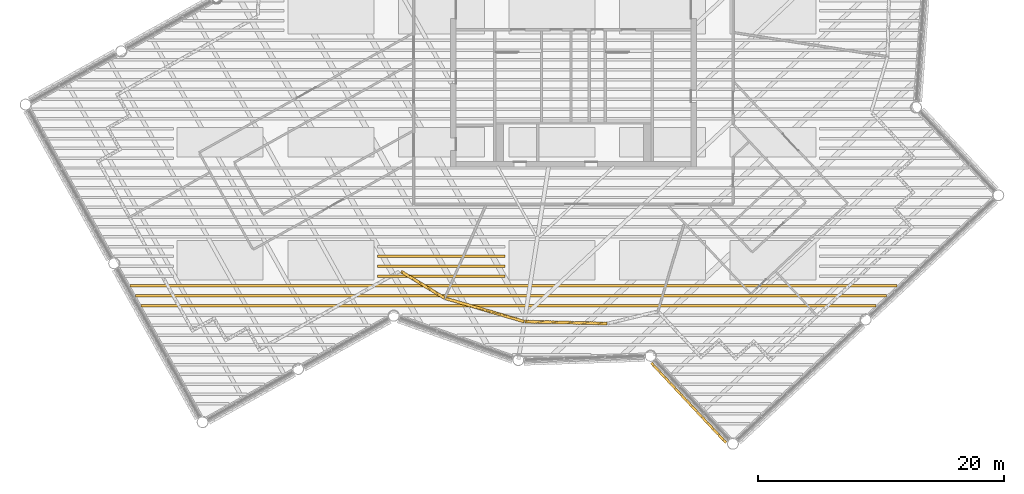
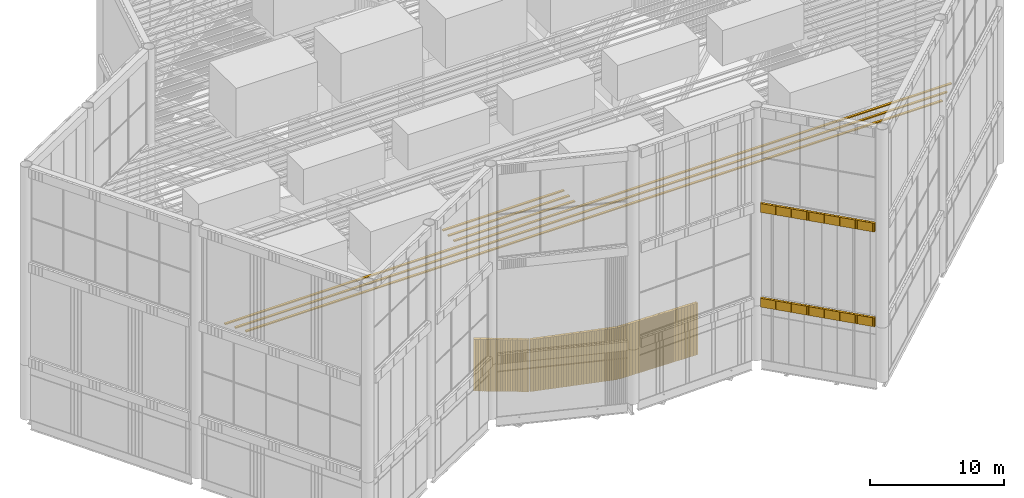
# One storey, part 95 of 117: 9 shading devices, 2 coverings.
"""IFC4 building model written with IfcOpenShell, lengths in metres."""

from ifc_helpers import new_model, si_unit, direction, frame, frame_2d, origin, origin_2d, place, context, subcontext, project, spatial, rectangle, composite_profile, extrude, material, type_object, element, save


model = new_model("IFC4")

# Units and contexts
model_context = context("Model", 3, precision=1e-05, world=origin(), true_north=direction((0.0, 1.0)))
body_context = subcontext(model_context, "Body", "Model", "MODEL_VIEW")
ifc_project = project(units=[si_unit("LENGTHUNIT", "METRE"), si_unit("AREAUNIT", "SQUARE_METRE"), si_unit("VOLUMEUNIT", "CUBIC_METRE"), si_unit("PLANEANGLEUNIT", "RADIAN"), si_unit("MASSUNIT", "GRAM", prefix="KILO")], contexts=[model_context])

# Site, building, storey
site_placement = place(None, origin())
site = spatial("IfcSite", under=ifc_project, at=site_placement, CompositionType="ELEMENT")
building_placement = place(site_placement, origin())
building = spatial("IfcBuilding", under=site, at=building_placement, Name="Tarsis Ring Headquarters", CompositionType="ELEMENT")
storey_placement = place(building_placement, frame((0.0, 0.0, 403.60009765625)))
storey = spatial("IfcBuildingStorey", under=building, at=storey_placement, Name="L95", CompositionType="ELEMENT", Elevation=403.60009765625)

# Coverings
ifc_material_1 = material(Name="Terracotta louvre", Category="masonry")
covering_type = type_object("IfcCoveringType", Name="Crown louvre fin", PredefinedType="CLADDING", material=ifc_material_1)
covering_1_placement = place(storey_placement, frame((6.339111328125, -28.933837890625, 5.0), z_axis=(0.0, 0.0, 1.0), x_axis=(0.683518233743, -0.729926405975, 0.0)))
element("IfcCovering", 1, at=covering_1_placement, inside=storey, type_object=covering_type, Name="Crown louvre fascia R2", PredefinedType="CLADDING", context=body_context, shape_type="SweptSolid", body=[
    extrude(composite_profile([rectangle(XDim=0.14501953125, YDim=0.199951171875, at=frame_2d((0.072509765625, 0.0))), rectangle(XDim=0.14501953125, YDim=0.199951171875, at=frame_2d((0.223388671875, 0.0))), rectangle(XDim=0.14501953125, YDim=0.199951171875, at=frame_2d((0.3740234375, 0.0))), rectangle(XDim=0.14501953125, YDim=0.199951171875, at=frame_2d((0.52490234375, 0.0))), rectangle(XDim=0.14501953125, YDim=0.199951171875, at=frame_2d((0.675537109375, 0.0))), rectangle(XDim=0.14501953125, YDim=0.199951171875, at=frame_2d((0.826416015625, 0.0))), rectangle(XDim=0.14501953125, YDim=0.199951171875, at=frame_2d((0.977294921875, 0.0))), rectangle(XDim=0.14501953125, YDim=0.199951171875, at=frame_2d((1.1279296875, 0.0))), rectangle(XDim=0.14501953125, YDim=0.199951171875, at=frame_2d((1.27880859375, 0.0))), rectangle(XDim=0.14501953125, YDim=0.199951171875, at=frame_2d((1.4296875, 0.0))), rectangle(XDim=0.14501953125, YDim=0.199951171875, at=frame_2d((1.580322265625, 0.0))), rectangle(XDim=0.14501953125, YDim=0.199951171875, at=frame_2d((1.731201171875, 0.0))), rectangle(XDim=0.14501953125, YDim=0.199951171875, at=frame_2d((1.8818359375, 0.0))), rectangle(XDim=0.14501953125, YDim=0.199951171875, at=frame_2d((2.03271484375, 0.0))), rectangle(XDim=0.14501953125, YDim=0.199951171875, at=frame_2d((2.18359375, 0.0))), rectangle(XDim=0.14501953125, YDim=0.199951171875, at=frame_2d((2.334228515625, 0.0))), rectangle(XDim=0.14501953125, YDim=0.199951171875, at=frame_2d((2.485107421875, 0.0))), rectangle(XDim=0.14501953125, YDim=0.199951171875, at=frame_2d((2.635986328125, 0.0))), rectangle(XDim=0.14501953125, YDim=0.199951171875, at=frame_2d((2.78662109375, 0.0))), rectangle(XDim=0.14501953125, YDim=0.199951171875, at=frame_2d((2.9375, 0.0))), rectangle(XDim=0.14501953125, YDim=0.199951171875, at=frame_2d((3.088134765625, 0.0))), rectangle(XDim=0.14501953125, YDim=0.199951171875, at=frame_2d((3.239013671875, 0.0))), rectangle(XDim=0.14501953125, YDim=0.199951171875, at=frame_2d((3.389892578125, 0.0))), rectangle(XDim=0.14501953125, YDim=0.199951171875, at=frame_2d((3.54052734375, 0.0))), rectangle(XDim=0.14501953125, YDim=0.199951171875, at=frame_2d((3.69140625, 0.0))), rectangle(XDim=0.14501953125, YDim=0.199951171875, at=frame_2d((3.84228515625, 0.0))), rectangle(XDim=0.14501953125, YDim=0.199951171875, at=frame_2d((3.992919921875, 0.0))), rectangle(XDim=0.14501953125, YDim=0.199951171875, at=frame_2d((4.143798828125, 0.0))), rectangle(XDim=0.14501953125, YDim=0.199951171875, at=frame_2d((4.29443359375, 0.0))), rectangle(XDim=0.14501953125, YDim=0.199951171875, at=frame_2d((4.4453125, 0.0))), rectangle(XDim=0.14501953125, YDim=0.199951171875, at=frame_2d((4.59619140625, 0.0))), rectangle(XDim=0.14501953125, YDim=0.199951171875, at=frame_2d((4.746826171875, 0.0))), rectangle(XDim=0.14501953125, YDim=0.199951171875, at=frame_2d((4.897705078125, 0.0))), rectangle(XDim=0.14501953125, YDim=0.199951171875, at=frame_2d((5.04833984375, 0.0))), rectangle(XDim=0.14501953125, YDim=0.199951171875, at=frame_2d((5.19921875, 0.0))), rectangle(XDim=0.14501953125, YDim=0.199951171875, at=frame_2d((5.35009765625, 0.0))), rectangle(XDim=0.14501953125, YDim=0.199951171875, at=frame_2d((5.500732421875, 0.0))), rectangle(XDim=0.14501953125, YDim=0.199951171875, at=frame_2d((5.651611328125, 0.0))), rectangle(XDim=0.14501953125, YDim=0.199951171875, at=frame_2d((5.802490234375, 0.0))), rectangle(XDim=0.14501953125, YDim=0.199951171875, at=frame_2d((5.953125, 0.0))), rectangle(XDim=0.14501953125, YDim=0.199951171875, at=frame_2d((6.10400390625, 0.0))), rectangle(XDim=0.14501953125, YDim=0.199951171875, at=frame_2d((6.254638671875, 0.0))), rectangle(XDim=0.14501953125, YDim=0.199951171875, at=frame_2d((6.405517578125, 0.0))), rectangle(XDim=0.14501953125, YDim=0.199951171875, at=frame_2d((6.556396484375, 0.0))), rectangle(XDim=0.14501953125, YDim=0.199951171875, at=frame_2d((6.70703125, 0.0))), rectangle(XDim=0.14501953125, YDim=0.199951171875, at=frame_2d((6.85791015625, 0.0))), rectangle(XDim=0.14501953125, YDim=0.199951171875, at=frame_2d((7.0087890625, 0.0))), rectangle(XDim=0.14501953125, YDim=0.199951171875, at=frame_2d((7.159423828125, 0.0))), rectangle(XDim=0.14501953125, YDim=0.199951171875, at=frame_2d((7.310302734375, 0.0))), rectangle(XDim=0.14501953125, YDim=0.199951171875, at=frame_2d((7.4609375, 0.0))), rectangle(XDim=0.14501953125, YDim=0.199951171875, at=frame_2d((7.61181640625, 0.0))), rectangle(XDim=0.14501953125, YDim=0.199951171875, at=frame_2d((7.7626953125, 0.0))), rectangle(XDim=0.14501953125, YDim=0.199951171875, at=frame_2d((7.913330078125, 0.0))), rectangle(XDim=0.14501953125, YDim=0.199951171875, at=frame_2d((8.064208984375, 0.0))), rectangle(XDim=0.14501953125, YDim=0.199951171875, at=frame_2d((8.215087890625, 0.0))), rectangle(XDim=0.14501953125, YDim=0.199951171875, at=frame_2d((8.36572265625, 0.0))), rectangle(XDim=0.14501953125, YDim=0.199951171875, at=frame_2d((8.5166015625, 0.0))), rectangle(XDim=0.14501953125, YDim=0.199951171875, at=frame_2d((8.667236328125, 0.0))), rectangle(XDim=0.14501953125, YDim=0.199951171875, at=frame_2d((8.818115234375, 0.0)))]), origin(), (0.0, 0.0, 1.0), 0.7998046875),
])
covering_2_placement = place(storey_placement, frame((6.339111328125, -28.933837890625, 13.599853515625), z_axis=(0.0, 0.0, 1.0), x_axis=(0.683518233743, -0.729926405975, 0.0)))
element("IfcCovering", 2, at=covering_2_placement, inside=storey, type_object=covering_type, Name="Crown louvre fascia M2", PredefinedType="CLADDING", context=body_context, shape_type="SweptSolid", body=[
    extrude(composite_profile([rectangle(XDim=0.14501953125, YDim=0.199951171875, at=frame_2d((0.072509765625, 0.0))), rectangle(XDim=0.14501953125, YDim=0.199951171875, at=frame_2d((0.223388671875, 0.0))), rectangle(XDim=0.14501953125, YDim=0.199951171875, at=frame_2d((0.3740234375, 0.0))), rectangle(XDim=0.14501953125, YDim=0.199951171875, at=frame_2d((0.52490234375, 0.0))), rectangle(XDim=0.14501953125, YDim=0.199951171875, at=frame_2d((0.675537109375, 0.0))), rectangle(XDim=0.14501953125, YDim=0.199951171875, at=frame_2d((0.826416015625, 0.0))), rectangle(XDim=0.14501953125, YDim=0.199951171875, at=frame_2d((0.977294921875, 0.0))), rectangle(XDim=0.14501953125, YDim=0.199951171875, at=frame_2d((1.1279296875, 0.0))), rectangle(XDim=0.14501953125, YDim=0.199951171875, at=frame_2d((1.27880859375, 0.0))), rectangle(XDim=0.14501953125, YDim=0.199951171875, at=frame_2d((1.4296875, 0.0))), rectangle(XDim=0.14501953125, YDim=0.199951171875, at=frame_2d((1.580322265625, 0.0))), rectangle(XDim=0.14501953125, YDim=0.199951171875, at=frame_2d((1.731201171875, 0.0))), rectangle(XDim=0.14501953125, YDim=0.199951171875, at=frame_2d((1.8818359375, 0.0))), rectangle(XDim=0.14501953125, YDim=0.199951171875, at=frame_2d((2.03271484375, 0.0))), rectangle(XDim=0.14501953125, YDim=0.199951171875, at=frame_2d((2.18359375, 0.0))), rectangle(XDim=0.14501953125, YDim=0.199951171875, at=frame_2d((2.334228515625, 0.0))), rectangle(XDim=0.14501953125, YDim=0.199951171875, at=frame_2d((2.485107421875, 0.0))), rectangle(XDim=0.14501953125, YDim=0.199951171875, at=frame_2d((2.635986328125, 0.0))), rectangle(XDim=0.14501953125, YDim=0.199951171875, at=frame_2d((2.78662109375, 0.0))), rectangle(XDim=0.14501953125, YDim=0.199951171875, at=frame_2d((2.9375, 0.0))), rectangle(XDim=0.14501953125, YDim=0.199951171875, at=frame_2d((3.088134765625, 0.0))), rectangle(XDim=0.14501953125, YDim=0.199951171875, at=frame_2d((3.239013671875, 0.0))), rectangle(XDim=0.14501953125, YDim=0.199951171875, at=frame_2d((3.389892578125, 0.0))), rectangle(XDim=0.14501953125, YDim=0.199951171875, at=frame_2d((3.54052734375, 0.0))), rectangle(XDim=0.14501953125, YDim=0.199951171875, at=frame_2d((3.69140625, 0.0))), rectangle(XDim=0.14501953125, YDim=0.199951171875, at=frame_2d((3.84228515625, 0.0))), rectangle(XDim=0.14501953125, YDim=0.199951171875, at=frame_2d((3.992919921875, 0.0))), rectangle(XDim=0.14501953125, YDim=0.199951171875, at=frame_2d((4.143798828125, 0.0))), rectangle(XDim=0.14501953125, YDim=0.199951171875, at=frame_2d((4.29443359375, 0.0))), rectangle(XDim=0.14501953125, YDim=0.199951171875, at=frame_2d((4.4453125, 0.0))), rectangle(XDim=0.14501953125, YDim=0.199951171875, at=frame_2d((4.59619140625, 0.0))), rectangle(XDim=0.14501953125, YDim=0.199951171875, at=frame_2d((4.746826171875, 0.0))), rectangle(XDim=0.14501953125, YDim=0.199951171875, at=frame_2d((4.897705078125, 0.0))), rectangle(XDim=0.14501953125, YDim=0.199951171875, at=frame_2d((5.04833984375, 0.0))), rectangle(XDim=0.14501953125, YDim=0.199951171875, at=frame_2d((5.19921875, 0.0))), rectangle(XDim=0.14501953125, YDim=0.199951171875, at=frame_2d((5.35009765625, 0.0))), rectangle(XDim=0.14501953125, YDim=0.199951171875, at=frame_2d((5.500732421875, 0.0))), rectangle(XDim=0.14501953125, YDim=0.199951171875, at=frame_2d((5.651611328125, 0.0))), rectangle(XDim=0.14501953125, YDim=0.199951171875, at=frame_2d((5.802490234375, 0.0))), rectangle(XDim=0.14501953125, YDim=0.199951171875, at=frame_2d((5.953125, 0.0))), rectangle(XDim=0.14501953125, YDim=0.199951171875, at=frame_2d((6.10400390625, 0.0))), rectangle(XDim=0.14501953125, YDim=0.199951171875, at=frame_2d((6.254638671875, 0.0))), rectangle(XDim=0.14501953125, YDim=0.199951171875, at=frame_2d((6.405517578125, 0.0))), rectangle(XDim=0.14501953125, YDim=0.199951171875, at=frame_2d((6.556396484375, 0.0))), rectangle(XDim=0.14501953125, YDim=0.199951171875, at=frame_2d((6.70703125, 0.0))), rectangle(XDim=0.14501953125, YDim=0.199951171875, at=frame_2d((6.85791015625, 0.0))), rectangle(XDim=0.14501953125, YDim=0.199951171875, at=frame_2d((7.0087890625, 0.0))), rectangle(XDim=0.14501953125, YDim=0.199951171875, at=frame_2d((7.159423828125, 0.0))), rectangle(XDim=0.14501953125, YDim=0.199951171875, at=frame_2d((7.310302734375, 0.0))), rectangle(XDim=0.14501953125, YDim=0.199951171875, at=frame_2d((7.4609375, 0.0))), rectangle(XDim=0.14501953125, YDim=0.199951171875, at=frame_2d((7.61181640625, 0.0))), rectangle(XDim=0.14501953125, YDim=0.199951171875, at=frame_2d((7.7626953125, 0.0))), rectangle(XDim=0.14501953125, YDim=0.199951171875, at=frame_2d((7.913330078125, 0.0))), rectangle(XDim=0.14501953125, YDim=0.199951171875, at=frame_2d((8.064208984375, 0.0))), rectangle(XDim=0.14501953125, YDim=0.199951171875, at=frame_2d((8.215087890625, 0.0))), rectangle(XDim=0.14501953125, YDim=0.199951171875, at=frame_2d((8.36572265625, 0.0))), rectangle(XDim=0.14501953125, YDim=0.199951171875, at=frame_2d((8.5166015625, 0.0))), rectangle(XDim=0.14501953125, YDim=0.199951171875, at=frame_2d((8.667236328125, 0.0))), rectangle(XDim=0.14501953125, YDim=0.199951171875, at=frame_2d((8.818115234375, 0.0)))]), origin(), (0.0, 0.0, 1.0), 0.800048828125),
])

# Shading devices
ifc_material_2 = material(Name="Aluminium louvre", Category="aluminium")
shading_device_type_1 = type_object("IfcShadingDeviceType", Name="Crown roof louvre blade", PredefinedType="USERDEFINED", material=ifc_material_2)
shading_device_1_placement = place(storey_placement, frame((-5.27734375, -24.26416015625, 14.39990234375), z_axis=(0.0, 0.0, 1.0), x_axis=(1.0, 0.0, 0.0)))
element("IfcShadingDevice", 3, at=shading_device_1_placement, inside=storey, type_object=shading_device_type_1, Name="Crown roof louvre 24", ObjectType="Crown roof louvre", PredefinedType="USERDEFINED", context=body_context, shape_type="SweptSolid", body=[
    extrude(rectangle(XDim=59.825439453125, YDim=0.199951171875, at=origin_2d()), origin(), (0.0, 0.0, 1.0), 0.10009765625),
])
shading_device_2_placement = place(storey_placement, frame((-5.072998046875, -23.464111328125, 14.39990234375), z_axis=(0.0, 0.0, 1.0), x_axis=(1.0, 0.0, 0.0)))
element("IfcShadingDevice", 4, at=shading_device_2_placement, inside=storey, type_object=shading_device_type_1, Name="Crown roof louvre 25", ObjectType="Crown roof louvre", PredefinedType="USERDEFINED", context=body_context, shape_type="SweptSolid", body=[
    extrude(rectangle(XDim=61.125244140625, YDim=0.199951171875, at=origin_2d()), origin(), (0.0, 0.0, 1.0), 0.10009765625),
])
shading_device_3_placement = place(storey_placement, frame((-4.86865234375, -22.664306640625, 14.39990234375), z_axis=(0.0, 0.0, 1.0), x_axis=(1.0, 0.0, 0.0)))
element("IfcShadingDevice", 5, at=shading_device_3_placement, inside=storey, type_object=shading_device_type_1, Name="Crown roof louvre 26", ObjectType="Crown roof louvre", PredefinedType="USERDEFINED", context=body_context, shape_type="SweptSolid", body=[
    extrude(rectangle(XDim=62.42529296875, YDim=0.199951171875, at=origin_2d()), origin(), (0.0, 0.0, 1.0), 0.10009765625),
])
for number, where, z_axis, x_axis, name in (
    (6, (-10.75244140625, -21.8642578125, 14.39990234375), (0.0, 0.0, 1.0), (1.0, 0.0, 0.0), "Crown roof louvre 28"),
    (7, (-10.75244140625, -21.064208984375, 14.39990234375), (0.0, 0.0, 1.0), (1.0, 0.0, 0.0), "Crown roof louvre 31"),
    (8, (-10.75244140625, -20.26416015625, 14.39990234375), (0.0, 0.0, 1.0), (1.0, 0.0, 0.0), "Crown roof louvre 34"),
):
    element("IfcShadingDevice", number, at=place(storey_placement, frame(where, z_axis=z_axis, x_axis=x_axis)), inside=storey, type_object=shading_device_type_1, Name=name, ObjectType="Crown roof louvre", PredefinedType="USERDEFINED", context=body_context, shape_type="SweptSolid", body=[
        extrude(rectangle(XDim=10.39990234375, YDim=0.199951171875, at=origin_2d()), origin(), (0.0, 0.0, 1.0), 0.10009765625),
    ])
shading_device_type_2 = type_object("IfcShadingDeviceType", Name="Plant louvre fin", PredefinedType="USERDEFINED", material=ifc_material_2)
shading_device_4_placement = place(storey_placement, frame((-14.037841796875, -21.485595703125, 0.0), z_axis=(0.0, 0.0, 1.0), x_axis=(0.853728714034, -0.520669406929, 0.0)))
element("IfcShadingDevice", 9, at=shading_device_4_placement, inside=storey, type_object=shading_device_type_2, Name="Louvre L95-02", ObjectType="Louvre", PredefinedType="USERDEFINED", context=body_context, shape_type="SweptSolid", body=[
    extrude(composite_profile([rectangle(XDim=0.1201171875, YDim=0.239990234375, at=frame_2d((0.076171875, 0.0), x_axis=(0.990268068742, 0.13917310096))), rectangle(XDim=0.1201171875, YDim=0.239990234375, at=frame_2d((0.201416015625, 0.0), x_axis=(0.990268068742, 0.13917310096))), rectangle(XDim=0.1201171875, YDim=0.239990234375, at=frame_2d((0.326416015625, 0.0), x_axis=(0.990268068742, 0.13917310096))), rectangle(XDim=0.1201171875, YDim=0.239990234375, at=frame_2d((0.45166015625, 0.0), x_axis=(0.990268068742, 0.13917310096))), rectangle(XDim=0.1201171875, YDim=0.239990234375, at=frame_2d((0.576904296875, 0.0), x_axis=(0.990268068742, 0.13917310096))), rectangle(XDim=0.1201171875, YDim=0.239990234375, at=frame_2d((0.701904296875, 0.0), x_axis=(0.990268068742, 0.13917310096))), rectangle(XDim=0.1201171875, YDim=0.239990234375, at=frame_2d((0.8271484375, 0.0), x_axis=(0.990268068742, 0.13917310096))), rectangle(XDim=0.1201171875, YDim=0.239990234375, at=frame_2d((0.952392578125, 0.0), x_axis=(0.990268068742, 0.13917310096))), rectangle(XDim=0.1201171875, YDim=0.239990234375, at=frame_2d((1.07763671875, 0.0), x_axis=(0.990268068742, 0.13917310096))), rectangle(XDim=0.1201171875, YDim=0.239990234375, at=frame_2d((1.20263671875, 0.0), x_axis=(0.990268068742, 0.13917310096))), rectangle(XDim=0.1201171875, YDim=0.239990234375, at=frame_2d((1.327880859375, 0.0), x_axis=(0.990268068742, 0.13917310096))), rectangle(XDim=0.1201171875, YDim=0.239990234375, at=frame_2d((1.453125, 0.0), x_axis=(0.990268068742, 0.13917310096))), rectangle(XDim=0.1201171875, YDim=0.239990234375, at=frame_2d((1.578125, 0.0), x_axis=(0.990268068742, 0.13917310096))), rectangle(XDim=0.1201171875, YDim=0.239990234375, at=frame_2d((1.703369140625, 0.0), x_axis=(0.990268068742, 0.13917310096))), rectangle(XDim=0.1201171875, YDim=0.239990234375, at=frame_2d((1.82861328125, 0.0), x_axis=(0.990268068742, 0.13917310096))), rectangle(XDim=0.1201171875, YDim=0.239990234375, at=frame_2d((1.95361328125, 0.0), x_axis=(0.990268068742, 0.13917310096))), rectangle(XDim=0.1201171875, YDim=0.239990234375, at=frame_2d((2.078857421875, 0.0), x_axis=(0.990268068742, 0.13917310096))), rectangle(XDim=0.1201171875, YDim=0.239990234375, at=frame_2d((2.2041015625, 0.0), x_axis=(0.990268068742, 0.13917310096))), rectangle(XDim=0.1201171875, YDim=0.239990234375, at=frame_2d((2.3291015625, 0.0), x_axis=(0.990268068742, 0.13917310096))), rectangle(XDim=0.1201171875, YDim=0.239990234375, at=frame_2d((2.454345703125, 0.0), x_axis=(0.990268068742, 0.13917310096))), rectangle(XDim=0.1201171875, YDim=0.239990234375, at=frame_2d((2.57958984375, 0.0), x_axis=(0.990268068742, 0.13917310096))), rectangle(XDim=0.1201171875, YDim=0.239990234375, at=frame_2d((2.70458984375, 0.0), x_axis=(0.990268068742, 0.13917310096))), rectangle(XDim=0.1201171875, YDim=0.239990234375, at=frame_2d((2.829833984375, 0.0), x_axis=(0.990268068742, 0.13917310096))), rectangle(XDim=0.1201171875, YDim=0.239990234375, at=frame_2d((2.955078125, 0.0), x_axis=(0.990268068742, 0.13917310096))), rectangle(XDim=0.1201171875, YDim=0.239990234375, at=frame_2d((3.080078125, 0.0), x_axis=(0.990268068742, 0.13917310096))), rectangle(XDim=0.1201171875, YDim=0.239990234375, at=frame_2d((3.205322265625, 0.0), x_axis=(0.990268068742, 0.13917310096))), rectangle(XDim=0.1201171875, YDim=0.239990234375, at=frame_2d((3.33056640625, 0.0), x_axis=(0.990268068742, 0.13917310096))), rectangle(XDim=0.1201171875, YDim=0.239990234375, at=frame_2d((3.455810546875, 0.0), x_axis=(0.990268068742, 0.13917310096))), rectangle(XDim=0.1201171875, YDim=0.239990234375, at=frame_2d((3.580810546875, 0.0), x_axis=(0.990268068742, 0.13917310096))), rectangle(XDim=0.1201171875, YDim=0.239990234375, at=frame_2d((3.7060546875, 0.0), x_axis=(0.990268068742, 0.13917310096))), rectangle(XDim=0.1201171875, YDim=0.239990234375, at=frame_2d((3.831298828125, 0.0), x_axis=(0.990268068742, 0.13917310096))), rectangle(XDim=0.1201171875, YDim=0.239990234375, at=frame_2d((3.956298828125, 0.0), x_axis=(0.990268068742, 0.13917310096))), rectangle(XDim=0.1201171875, YDim=0.239990234375, at=frame_2d((4.08154296875, 0.0), x_axis=(0.990268068742, 0.13917310096)))]), origin(), (0.0, 0.0, 1.0), 4.699951171875),
])
shading_device_5_placement = place(storey_placement, frame((-10.45849609375, -23.66357421875, 0.0), z_axis=(0.0, 0.0, 1.0), x_axis=(0.959427554393, -0.282009371254, 0.0)))
element("IfcShadingDevice", 10, at=shading_device_5_placement, inside=storey, type_object=shading_device_type_2, Name="Louvre L95-03", ObjectType="Louvre", PredefinedType="USERDEFINED", context=body_context, shape_type="SweptSolid", body=[
    extrude(composite_profile([rectangle(XDim=0.1201171875, YDim=0.239990234375, at=frame_2d((0.076171875, 0.0), x_axis=(0.990268068742, 0.13917310096))), rectangle(XDim=0.1201171875, YDim=0.239990234375, at=frame_2d((0.202392578125, 0.0), x_axis=(0.990268068742, 0.13917310096))), rectangle(XDim=0.1201171875, YDim=0.239990234375, at=frame_2d((0.328857421875, 0.0), x_axis=(0.990268068742, 0.13917310096))), rectangle(XDim=0.1201171875, YDim=0.239990234375, at=frame_2d((0.455078125, 0.0), x_axis=(0.990268068742, 0.13917310096))), rectangle(XDim=0.1201171875, YDim=0.239990234375, at=frame_2d((0.58154296875, 0.0), x_axis=(0.990268068742, 0.13917310096))), rectangle(XDim=0.1201171875, YDim=0.239990234375, at=frame_2d((0.707763671875, 0.0), x_axis=(0.990268068742, 0.13917310096))), rectangle(XDim=0.1201171875, YDim=0.239990234375, at=frame_2d((0.834228515625, 0.0), x_axis=(0.990268068742, 0.13917310096))), rectangle(XDim=0.1201171875, YDim=0.239990234375, at=frame_2d((0.96044921875, 0.0), x_axis=(0.990268068742, 0.13917310096))), rectangle(XDim=0.1201171875, YDim=0.239990234375, at=frame_2d((1.0869140625, 0.0), x_axis=(0.990268068742, 0.13917310096))), rectangle(XDim=0.1201171875, YDim=0.239990234375, at=frame_2d((1.213134765625, 0.0), x_axis=(0.990268068742, 0.13917310096))), rectangle(XDim=0.1201171875, YDim=0.239990234375, at=frame_2d((1.33935546875, 0.0), x_axis=(0.990268068742, 0.13917310096))), rectangle(XDim=0.1201171875, YDim=0.239990234375, at=frame_2d((1.4658203125, 0.0), x_axis=(0.990268068742, 0.13917310096))), rectangle(XDim=0.1201171875, YDim=0.239990234375, at=frame_2d((1.592041015625, 0.0), x_axis=(0.990268068742, 0.13917310096))), rectangle(XDim=0.1201171875, YDim=0.239990234375, at=frame_2d((1.718505859375, 0.0), x_axis=(0.990268068742, 0.13917310096))), rectangle(XDim=0.1201171875, YDim=0.239990234375, at=frame_2d((1.8447265625, 0.0), x_axis=(0.990268068742, 0.13917310096))), rectangle(XDim=0.1201171875, YDim=0.239990234375, at=frame_2d((1.97119140625, 0.0), x_axis=(0.990268068742, 0.13917310096))), rectangle(XDim=0.1201171875, YDim=0.239990234375, at=frame_2d((2.097412109375, 0.0), x_axis=(0.990268068742, 0.13917310096))), rectangle(XDim=0.1201171875, YDim=0.239990234375, at=frame_2d((2.223876953125, 0.0), x_axis=(0.990268068742, 0.13917310096))), rectangle(XDim=0.1201171875, YDim=0.239990234375, at=frame_2d((2.35009765625, 0.0), x_axis=(0.990268068742, 0.13917310096))), rectangle(XDim=0.1201171875, YDim=0.239990234375, at=frame_2d((2.476318359375, 0.0), x_axis=(0.990268068742, 0.13917310096))), rectangle(XDim=0.1201171875, YDim=0.239990234375, at=frame_2d((2.602783203125, 0.0), x_axis=(0.990268068742, 0.13917310096))), rectangle(XDim=0.1201171875, YDim=0.239990234375, at=frame_2d((2.72900390625, 0.0), x_axis=(0.990268068742, 0.13917310096))), rectangle(XDim=0.1201171875, YDim=0.239990234375, at=frame_2d((2.85546875, 0.0), x_axis=(0.990268068742, 0.13917310096))), rectangle(XDim=0.1201171875, YDim=0.239990234375, at=frame_2d((2.981689453125, 0.0), x_axis=(0.990268068742, 0.13917310096))), rectangle(XDim=0.1201171875, YDim=0.239990234375, at=frame_2d((3.108154296875, 0.0), x_axis=(0.990268068742, 0.13917310096))), rectangle(XDim=0.1201171875, YDim=0.239990234375, at=frame_2d((3.234375, 0.0), x_axis=(0.990268068742, 0.13917310096))), rectangle(XDim=0.1201171875, YDim=0.239990234375, at=frame_2d((3.36083984375, 0.0), x_axis=(0.990268068742, 0.13917310096))), rectangle(XDim=0.1201171875, YDim=0.239990234375, at=frame_2d((3.487060546875, 0.0), x_axis=(0.990268068742, 0.13917310096))), rectangle(XDim=0.1201171875, YDim=0.239990234375, at=frame_2d((3.61328125, 0.0), x_axis=(0.990268068742, 0.13917310096))), rectangle(XDim=0.1201171875, YDim=0.239990234375, at=frame_2d((3.73974609375, 0.0), x_axis=(0.990268068742, 0.13917310096))), rectangle(XDim=0.1201171875, YDim=0.239990234375, at=frame_2d((3.865966796875, 0.0), x_axis=(0.990268068742, 0.13917310096))), rectangle(XDim=0.1201171875, YDim=0.239990234375, at=frame_2d((3.992431640625, 0.0), x_axis=(0.990268068742, 0.13917310096))), rectangle(XDim=0.1201171875, YDim=0.239990234375, at=frame_2d((4.11865234375, 0.0), x_axis=(0.990268068742, 0.13917310096))), rectangle(XDim=0.1201171875, YDim=0.239990234375, at=frame_2d((4.2451171875, 0.0), x_axis=(0.990268068742, 0.13917310096))), rectangle(XDim=0.1201171875, YDim=0.239990234375, at=frame_2d((4.371337890625, 0.0), x_axis=(0.990268068742, 0.13917310096))), rectangle(XDim=0.1201171875, YDim=0.239990234375, at=frame_2d((4.49755859375, 0.0), x_axis=(0.990268068742, 0.13917310096))), rectangle(XDim=0.1201171875, YDim=0.239990234375, at=frame_2d((4.6240234375, 0.0), x_axis=(0.990268068742, 0.13917310096))), rectangle(XDim=0.1201171875, YDim=0.239990234375, at=frame_2d((4.750244140625, 0.0), x_axis=(0.990268068742, 0.13917310096))), rectangle(XDim=0.1201171875, YDim=0.239990234375, at=frame_2d((4.876708984375, 0.0), x_axis=(0.990268068742, 0.13917310096))), rectangle(XDim=0.1201171875, YDim=0.239990234375, at=frame_2d((5.0029296875, 0.0), x_axis=(0.990268068742, 0.13917310096))), rectangle(XDim=0.1201171875, YDim=0.239990234375, at=frame_2d((5.12939453125, 0.0), x_axis=(0.990268068742, 0.13917310096))), rectangle(XDim=0.1201171875, YDim=0.239990234375, at=frame_2d((5.255615234375, 0.0), x_axis=(0.990268068742, 0.13917310096))), rectangle(XDim=0.1201171875, YDim=0.239990234375, at=frame_2d((5.382080078125, 0.0), x_axis=(0.990268068742, 0.13917310096))), rectangle(XDim=0.1201171875, YDim=0.239990234375, at=frame_2d((5.50830078125, 0.0), x_axis=(0.990268068742, 0.13917310096))), rectangle(XDim=0.1201171875, YDim=0.239990234375, at=frame_2d((5.634521484375, 0.0), x_axis=(0.990268068742, 0.13917310096))), rectangle(XDim=0.1201171875, YDim=0.239990234375, at=frame_2d((5.760986328125, 0.0), x_axis=(0.990268068742, 0.13917310096))), rectangle(XDim=0.1201171875, YDim=0.239990234375, at=frame_2d((5.88720703125, 0.0), x_axis=(0.990268068742, 0.13917310096))), rectangle(XDim=0.1201171875, YDim=0.239990234375, at=frame_2d((6.013671875, 0.0), x_axis=(0.990268068742, 0.13917310096))), rectangle(XDim=0.1201171875, YDim=0.239990234375, at=frame_2d((6.139892578125, 0.0), x_axis=(0.990268068742, 0.13917310096))), rectangle(XDim=0.1201171875, YDim=0.239990234375, at=frame_2d((6.266357421875, 0.0), x_axis=(0.990268068742, 0.13917310096))), rectangle(XDim=0.1201171875, YDim=0.239990234375, at=frame_2d((6.392578125, 0.0), x_axis=(0.990268068742, 0.13917310096))), rectangle(XDim=0.1201171875, YDim=0.239990234375, at=frame_2d((6.51904296875, 0.0), x_axis=(0.990268068742, 0.13917310096))), rectangle(XDim=0.1201171875, YDim=0.239990234375, at=frame_2d((6.645263671875, 0.0), x_axis=(0.990268068742, 0.13917310096)))]), origin(), (0.0, 0.0, 1.0), 4.699951171875),
])
shading_device_6_placement = place(storey_placement, frame((-3.9775390625, -25.564208984375, 0.0), z_axis=(0.0, 0.0, 1.0), x_axis=(0.999709418474, -0.02408194399, 0.0)))
element("IfcShadingDevice", 11, at=shading_device_6_placement, inside=storey, type_object=shading_device_type_2, Name="Louvre L95-04", ObjectType="Louvre", PredefinedType="USERDEFINED", context=body_context, shape_type="SweptSolid", body=[
    extrude(composite_profile([rectangle(XDim=0.1201171875, YDim=0.239990234375, at=frame_2d((0.076171875, 0.0), x_axis=(0.990268068742, 0.13917310096))), rectangle(XDim=0.1201171875, YDim=0.239990234375, at=frame_2d((0.202392578125, 0.0), x_axis=(0.990268068742, 0.13917310096))), rectangle(XDim=0.1201171875, YDim=0.239990234375, at=frame_2d((0.328857421875, 0.0), x_axis=(0.990268068742, 0.13917310096))), rectangle(XDim=0.1201171875, YDim=0.239990234375, at=frame_2d((0.455078125, 0.0), x_axis=(0.990268068742, 0.13917310096))), rectangle(XDim=0.1201171875, YDim=0.239990234375, at=frame_2d((0.58154296875, 0.0), x_axis=(0.990268068742, 0.13917310096))), rectangle(XDim=0.1201171875, YDim=0.239990234375, at=frame_2d((0.707763671875, 0.0), x_axis=(0.990268068742, 0.13917310096))), rectangle(XDim=0.1201171875, YDim=0.239990234375, at=frame_2d((0.834228515625, 0.0), x_axis=(0.990268068742, 0.13917310096))), rectangle(XDim=0.1201171875, YDim=0.239990234375, at=frame_2d((0.96044921875, 0.0), x_axis=(0.990268068742, 0.13917310096))), rectangle(XDim=0.1201171875, YDim=0.239990234375, at=frame_2d((1.0869140625, 0.0), x_axis=(0.990268068742, 0.13917310096))), rectangle(XDim=0.1201171875, YDim=0.239990234375, at=frame_2d((1.213134765625, 0.0), x_axis=(0.990268068742, 0.13917310096))), rectangle(XDim=0.1201171875, YDim=0.239990234375, at=frame_2d((1.33935546875, 0.0), x_axis=(0.990268068742, 0.13917310096))), rectangle(XDim=0.1201171875, YDim=0.239990234375, at=frame_2d((1.4658203125, 0.0), x_axis=(0.990268068742, 0.13917310096))), rectangle(XDim=0.1201171875, YDim=0.239990234375, at=frame_2d((1.592041015625, 0.0), x_axis=(0.990268068742, 0.13917310096))), rectangle(XDim=0.1201171875, YDim=0.239990234375, at=frame_2d((1.718505859375, 0.0), x_axis=(0.990268068742, 0.13917310096))), rectangle(XDim=0.1201171875, YDim=0.239990234375, at=frame_2d((1.8447265625, 0.0), x_axis=(0.990268068742, 0.13917310096))), rectangle(XDim=0.1201171875, YDim=0.239990234375, at=frame_2d((1.97119140625, 0.0), x_axis=(0.990268068742, 0.13917310096))), rectangle(XDim=0.1201171875, YDim=0.239990234375, at=frame_2d((2.097412109375, 0.0), x_axis=(0.990268068742, 0.13917310096))), rectangle(XDim=0.1201171875, YDim=0.239990234375, at=frame_2d((2.223876953125, 0.0), x_axis=(0.990268068742, 0.13917310096))), rectangle(XDim=0.1201171875, YDim=0.239990234375, at=frame_2d((2.35009765625, 0.0), x_axis=(0.990268068742, 0.13917310096))), rectangle(XDim=0.1201171875, YDim=0.239990234375, at=frame_2d((2.476318359375, 0.0), x_axis=(0.990268068742, 0.13917310096))), rectangle(XDim=0.1201171875, YDim=0.239990234375, at=frame_2d((2.602783203125, 0.0), x_axis=(0.990268068742, 0.13917310096))), rectangle(XDim=0.1201171875, YDim=0.239990234375, at=frame_2d((2.72900390625, 0.0), x_axis=(0.990268068742, 0.13917310096))), rectangle(XDim=0.1201171875, YDim=0.239990234375, at=frame_2d((2.85546875, 0.0), x_axis=(0.990268068742, 0.13917310096))), rectangle(XDim=0.1201171875, YDim=0.239990234375, at=frame_2d((2.981689453125, 0.0), x_axis=(0.990268068742, 0.13917310096))), rectangle(XDim=0.1201171875, YDim=0.239990234375, at=frame_2d((3.108154296875, 0.0), x_axis=(0.990268068742, 0.13917310096))), rectangle(XDim=0.1201171875, YDim=0.239990234375, at=frame_2d((3.234375, 0.0), x_axis=(0.990268068742, 0.13917310096))), rectangle(XDim=0.1201171875, YDim=0.239990234375, at=frame_2d((3.36083984375, 0.0), x_axis=(0.990268068742, 0.13917310096))), rectangle(XDim=0.1201171875, YDim=0.239990234375, at=frame_2d((3.487060546875, 0.0), x_axis=(0.990268068742, 0.13917310096))), rectangle(XDim=0.1201171875, YDim=0.239990234375, at=frame_2d((3.61328125, 0.0), x_axis=(0.990268068742, 0.13917310096))), rectangle(XDim=0.1201171875, YDim=0.239990234375, at=frame_2d((3.73974609375, 0.0), x_axis=(0.990268068742, 0.13917310096))), rectangle(XDim=0.1201171875, YDim=0.239990234375, at=frame_2d((3.865966796875, 0.0), x_axis=(0.990268068742, 0.13917310096))), rectangle(XDim=0.1201171875, YDim=0.239990234375, at=frame_2d((3.992431640625, 0.0), x_axis=(0.990268068742, 0.13917310096))), rectangle(XDim=0.1201171875, YDim=0.239990234375, at=frame_2d((4.11865234375, 0.0), x_axis=(0.990268068742, 0.13917310096))), rectangle(XDim=0.1201171875, YDim=0.239990234375, at=frame_2d((4.2451171875, 0.0), x_axis=(0.990268068742, 0.13917310096))), rectangle(XDim=0.1201171875, YDim=0.239990234375, at=frame_2d((4.371337890625, 0.0), x_axis=(0.990268068742, 0.13917310096))), rectangle(XDim=0.1201171875, YDim=0.239990234375, at=frame_2d((4.49755859375, 0.0), x_axis=(0.990268068742, 0.13917310096))), rectangle(XDim=0.1201171875, YDim=0.239990234375, at=frame_2d((4.6240234375, 0.0), x_axis=(0.990268068742, 0.13917310096))), rectangle(XDim=0.1201171875, YDim=0.239990234375, at=frame_2d((4.750244140625, 0.0), x_axis=(0.990268068742, 0.13917310096))), rectangle(XDim=0.1201171875, YDim=0.239990234375, at=frame_2d((4.876708984375, 0.0), x_axis=(0.990268068742, 0.13917310096))), rectangle(XDim=0.1201171875, YDim=0.239990234375, at=frame_2d((5.0029296875, 0.0), x_axis=(0.990268068742, 0.13917310096))), rectangle(XDim=0.1201171875, YDim=0.239990234375, at=frame_2d((5.12939453125, 0.0), x_axis=(0.990268068742, 0.13917310096))), rectangle(XDim=0.1201171875, YDim=0.239990234375, at=frame_2d((5.255615234375, 0.0), x_axis=(0.990268068742, 0.13917310096))), rectangle(XDim=0.1201171875, YDim=0.239990234375, at=frame_2d((5.382080078125, 0.0), x_axis=(0.990268068742, 0.13917310096))), rectangle(XDim=0.1201171875, YDim=0.239990234375, at=frame_2d((5.50830078125, 0.0), x_axis=(0.990268068742, 0.13917310096))), rectangle(XDim=0.1201171875, YDim=0.239990234375, at=frame_2d((5.634521484375, 0.0), x_axis=(0.990268068742, 0.13917310096))), rectangle(XDim=0.1201171875, YDim=0.239990234375, at=frame_2d((5.760986328125, 0.0), x_axis=(0.990268068742, 0.13917310096))), rectangle(XDim=0.1201171875, YDim=0.239990234375, at=frame_2d((5.88720703125, 0.0), x_axis=(0.990268068742, 0.13917310096))), rectangle(XDim=0.1201171875, YDim=0.239990234375, at=frame_2d((6.013671875, 0.0), x_axis=(0.990268068742, 0.13917310096))), rectangle(XDim=0.1201171875, YDim=0.239990234375, at=frame_2d((6.139892578125, 0.0), x_axis=(0.990268068742, 0.13917310096))), rectangle(XDim=0.1201171875, YDim=0.239990234375, at=frame_2d((6.266357421875, 0.0), x_axis=(0.990268068742, 0.13917310096))), rectangle(XDim=0.1201171875, YDim=0.239990234375, at=frame_2d((6.392578125, 0.0), x_axis=(0.990268068742, 0.13917310096))), rectangle(XDim=0.1201171875, YDim=0.239990234375, at=frame_2d((6.51904296875, 0.0), x_axis=(0.990268068742, 0.13917310096))), rectangle(XDim=0.1201171875, YDim=0.239990234375, at=frame_2d((6.645263671875, 0.0), x_axis=(0.990268068742, 0.13917310096)))]), origin(), (0.0, 0.0, 1.0), 4.699951171875),
])

save(model, "model.ifc")
